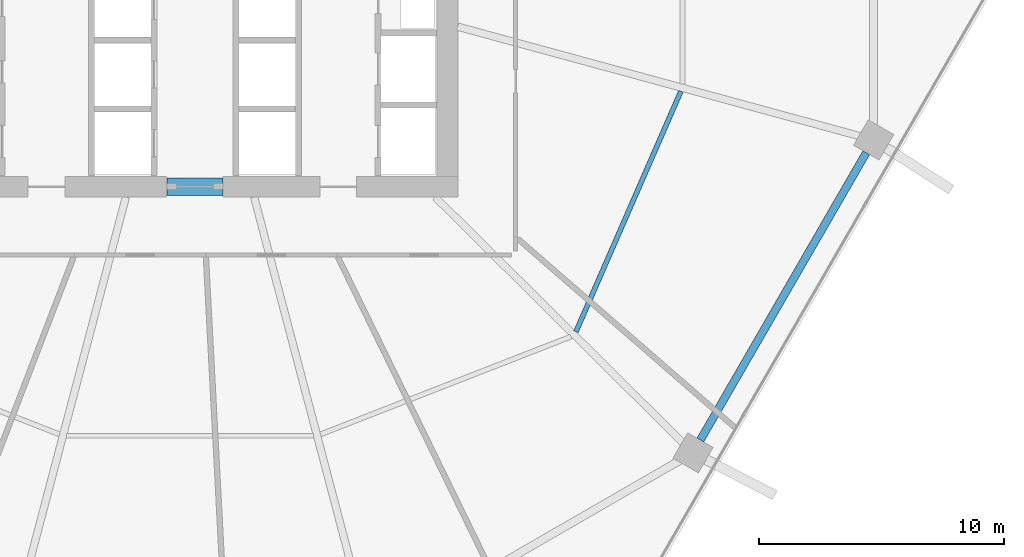
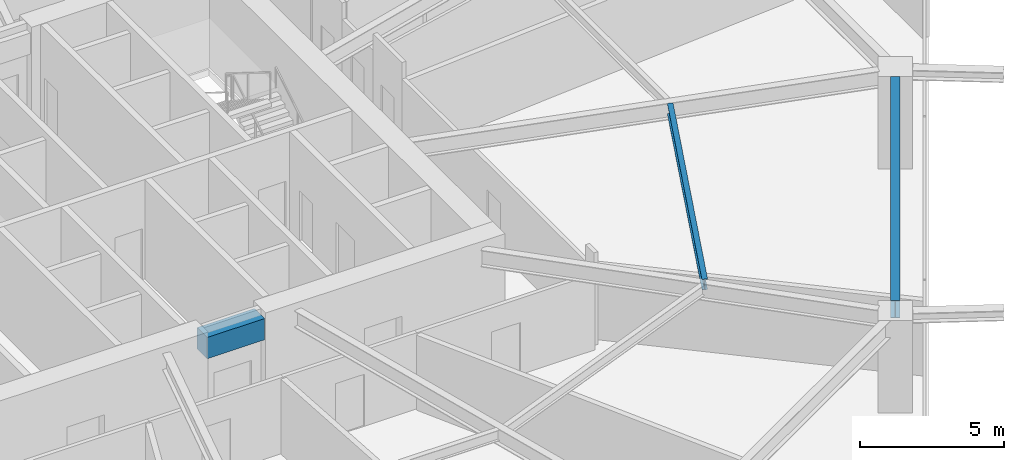
# One storey, part 10 of 27: 3 beams.
"""IFC4 building model written with IfcOpenShell, lengths in metres."""

from ifc_helpers import new_model, si_unit, direction, frame, origin, origin_2d, place, context, subcontext, project, spatial, rectangle, i_section, extrude, material, material_profile, profile_set, type_object, element, save


model = new_model("IFC4")

# Units and contexts
model_context = context("Model", 3, precision=1e-05, world=origin(), true_north=direction((0.0, 1.0)))
body_context = subcontext(model_context, "Body", "Model", "MODEL_VIEW")
ifc_project = project(units=[si_unit("LENGTHUNIT", "METRE"), si_unit("AREAUNIT", "SQUARE_METRE"), si_unit("VOLUMEUNIT", "CUBIC_METRE"), si_unit("PLANEANGLEUNIT", "RADIAN"), si_unit("MASSUNIT", "GRAM", prefix="KILO")], contexts=[model_context])

# Site, building, storey
site_placement = place(None, origin())
site = spatial("IfcSite", under=ifc_project, at=site_placement, CompositionType="ELEMENT")
building_placement = place(site_placement, origin())
building = spatial("IfcBuilding", under=site, at=building_placement, Name="Zuhravey Tower", CompositionType="ELEMENT")
storey_placement = place(building_placement, frame((0.0, 0.0, 12.0)))
storey = spatial("IfcBuildingStorey", under=building, at=storey_placement, Name="L03", CompositionType="ELEMENT", Elevation=12.0)

# Beams
ifc_material_1 = material(Name="Concrete C60/75", Category="concrete")
ifc_material_profile_1 = material_profile(ifc_material_1, rectangle(XDim=0.699951171875, YDim=0.89990234375, at=origin_2d()), Name="RC-700x900")
ifc_profile_set_1 = profile_set([ifc_material_profile_1], Name="Concrete C60/75")
beam_type_1 = type_object("IfcBeamType", Name="Core Coupling Beam RC700x900", PredefinedType="LINTEL", material=ifc_profile_set_1)
beam_1_placement = place(storey_placement, frame((35.052001953125, 22.5, 3.469970703125), z_axis=(1.0, 0.0, 0.0), x_axis=(0.0, 1.0, 0.0)))
element("IfcBeam", 1, at=beam_1_placement, inside=storey, type_object=beam_type_1, Name="L03 CB1 BM-L03-CB-S", PredefinedType="LINTEL", context=body_context, shape_type="SweptSolid", body=[
    extrude(rectangle(XDim=0.699951171875, YDim=0.89990234375, at=origin_2d()), origin(), (0.0, 0.0, 1.0), 2.2958984375),
])
ifc_material_2 = material(Name="Steel SM355", Category="steel")
ifc_material_profile_2 = material_profile(ifc_material_2, i_section(OverallWidth=0.320068359375, OverallDepth=0.75, WebThickness=0.013916015625, FlangeThickness=0.02490234375, at=origin_2d()), Name="H-750x320x14x25")
ifc_profile_set_2 = profile_set([ifc_material_profile_2], Name="Steel SM355")
beam_type_2 = type_object("IfcBeamType", Name="Perimeter Ring Beam H750x320", PredefinedType="BEAM", material=ifc_profile_set_2)
beam_2_placement = place(storey_placement, frame((56.820556640625, 12.165283203125, 3.544921875), z_axis=(0.499999877243, 0.866025474658, 0.0), x_axis=(-0.866025474658, 0.499999877243, 0.0)))
element("IfcBeam", 2, at=beam_2_placement, inside=storey, type_object=beam_type_2, Name="L03 PB1 BM-L03-PB-11", PredefinedType="BEAM", context=body_context, shape_type="SweptSolid", body=[
    extrude(i_section(OverallWidth=0.320068359375, OverallDepth=0.75, WebThickness=0.013916015625, FlangeThickness=0.02490234375, at=origin_2d()), origin(), (0.0, 0.0, 1.0), 13.5341796875),
])
ifc_material_profile_3 = material_profile(ifc_material_2, i_section(OverallWidth=0.199951171875, OverallDepth=0.449951171875, WebThickness=0.009033203125, FlangeThickness=0.013916015625, at=origin_2d()), Name="H-450x200x9x14")
ifc_profile_set_3 = profile_set([ifc_material_profile_3], Name="Steel SM355")
beam_type_3 = type_object("IfcBeamType", Name="Secondary Floor Joist H450x200", PredefinedType="JOIST", material=ifc_profile_set_3)
beam_3_placement = place(storey_placement, frame((51.7451171875, 16.58154296875, 3.695068359375), z_axis=(0.399923551578, 0.916548500022, 0.0), x_axis=(-0.916548500022, 0.399923551578, 0.0)))
element("IfcBeam", 3, at=beam_3_placement, inside=storey, type_object=beam_type_3, Name="L03 SJ1 BM-L03-SJ-11-1", PredefinedType="JOIST", context=body_context, shape_type="SweptSolid", body=[
    extrude(i_section(OverallWidth=0.199951171875, OverallDepth=0.449951171875, WebThickness=0.009033203125, FlangeThickness=0.013916015625, at=origin_2d()), origin(), (0.0, 0.0, 1.0), 10.70263671875),
])

save(model, "model.ifc")
